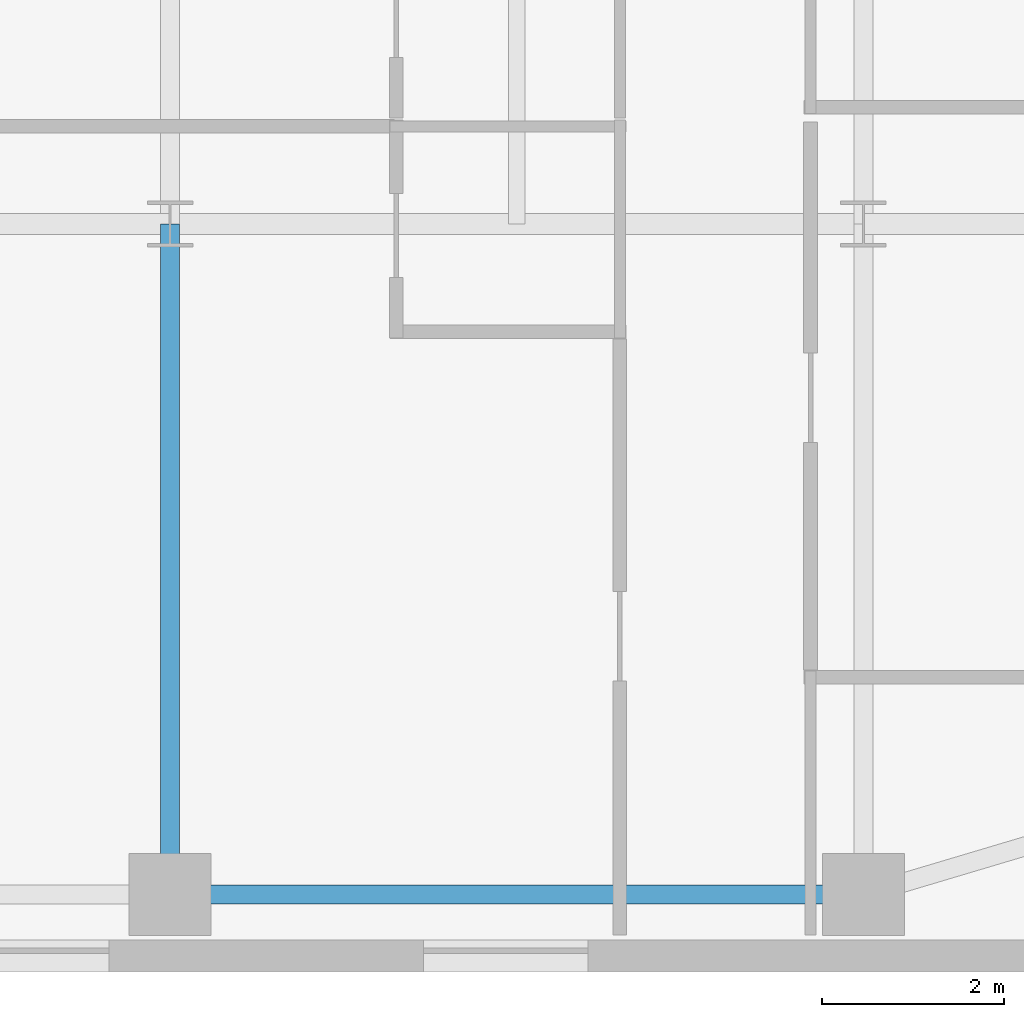
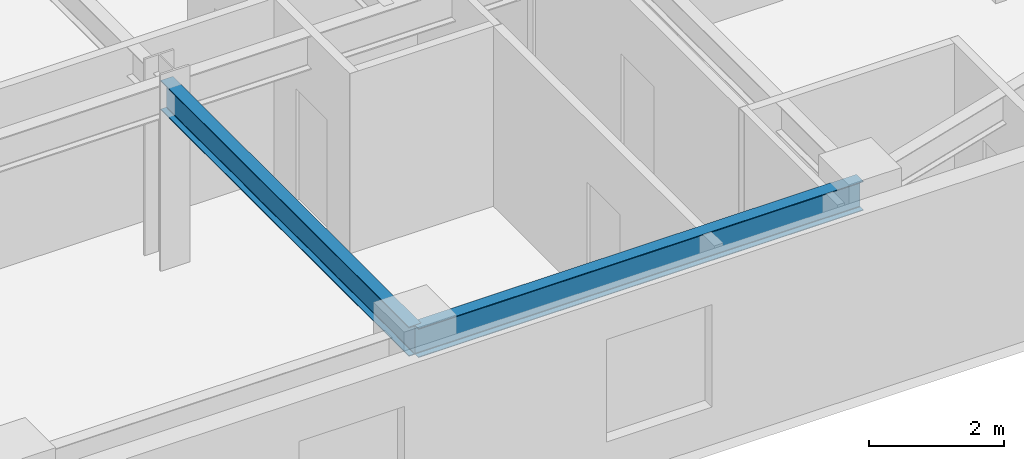
# One storey, part 6 of 16: 2 beams.
"""IFC4 building model written with IfcOpenShell, lengths in metres."""

from ifc_helpers import new_model, si_unit, direction, frame, origin, origin_2d, place, context, subcontext, project, spatial, i_section, extrude, source, transform, mapped, material, material_profile, profile_set, type_object, type_shapes, element, save


model = new_model("IFC4")

# Units and contexts
model_context = context("Model", 3, precision=1e-05, world=origin(), true_north=direction((0.0, 1.0)))
body_context = subcontext(model_context, "Body", "Model", "MODEL_VIEW")
ifc_project = project(units=[si_unit("LENGTHUNIT", "METRE"), si_unit("AREAUNIT", "SQUARE_METRE"), si_unit("VOLUMEUNIT", "CUBIC_METRE"), si_unit("PLANEANGLEUNIT", "RADIAN"), si_unit("MASSUNIT", "GRAM", prefix="KILO")], contexts=[model_context])

# Site, building, storey
site_placement = place(None, origin())
site = spatial("IfcSite", under=ifc_project, at=site_placement, CompositionType="ELEMENT")
building_placement = place(site_placement, origin())
building = spatial("IfcBuilding", under=site, at=building_placement, Name="Tolvann Quenvar Hotel", CompositionType="ELEMENT")
storey_placement = place(building_placement, frame((0.0, 0.0, 92.35009765625)))
storey = spatial("IfcBuildingStorey", under=building, at=storey_placement, Name="L23", CompositionType="ELEMENT", Elevation=92.35009765625)

# Beams
ifc_material = material(Name="Steel Grade 350", Category="steel")
ifc_material_profile_1 = material_profile(ifc_material, i_section(OverallWidth=0.208984375, OverallDepth=0.528076171875, WebThickness=0.009521484375, FlangeThickness=0.01318359375, FilletRadius=0.013916015625, at=origin_2d()), Name="530UB82")
ifc_profile_set_1 = profile_set([ifc_material_profile_1], Name="Steel Grade 350")
beam_type_1 = type_object("IfcBeamType", Name="BM_SPAND_530UB82", PredefinedType="SPANDREL", material=ifc_profile_set_1)
shared_shape_1 = source(origin(), body_context, "Body", "SweptSolid", [
    extrude(i_section(OverallWidth=0.208984375, OverallDepth=0.528076171875, WebThickness=0.009521484375, FlangeThickness=0.01318359375, FilletRadius=0.013916015625, at=origin_2d()), origin(), (0.0, 0.0, 1.0), 7.599853515625),
])
type_shapes(beam_type_1, [shared_shape_1])
beam_1_placement = place(storey_placement, frame((41.800048828125, 0.85009765625, 2.98583984375), z_axis=(1.0, 0.0, 0.0), x_axis=(0.0, 1.0, 0.0)))
element("IfcBeam", 1, at=beam_1_placement, inside=storey, type_object=beam_type_1, Name="BM-L23-EW-2-H2-I2", PredefinedType="SPANDREL", context=body_context, shape_type="MappedRepresentation", body=[
    mapped(shared_shape_1, transform((0.0, 0.0, 0.0), x_axis=(1.0, 0.0, 0.0), y_axis=(0.0, 1.0, 0.0), z_axis=(0.0, 0.0, 1.0), scale=1.0)),
])
ifc_material_profile_2 = material_profile(ifc_material, i_section(OverallWidth=0.208984375, OverallDepth=0.532958984375, WebThickness=0.01025390625, FlangeThickness=0.015625, FilletRadius=0.013916015625, at=origin_2d()), Name="530UB92")
ifc_profile_set_2 = profile_set([ifc_material_profile_2], Name="Steel Grade 350")
beam_type_2 = type_object("IfcBeamType", Name="BM_GIRD_530UB92", PredefinedType="BEAM", material=ifc_profile_set_2)
shared_shape_2 = source(origin(), body_context, "Body", "SweptSolid", [
    extrude(i_section(OverallWidth=0.208984375, OverallDepth=0.532958984375, WebThickness=0.01025390625, FlangeThickness=0.015625, FilletRadius=0.013916015625, at=origin_2d()), origin(), (0.0, 0.0, 1.0), 7.349853515625),
])
type_shapes(beam_type_2, [shared_shape_2])
beam_2_placement = place(storey_placement, frame((41.800048828125, 0.85009765625, 2.9833984375), z_axis=(0.0, 1.0, 0.0), x_axis=(-1.0, 0.0, 0.0)))
element("IfcBeam", 2, at=beam_2_placement, inside=storey, type_object=beam_type_2, Name="BM-L23-NS-H2-H3", PredefinedType="BEAM", context=body_context, shape_type="MappedRepresentation", body=[
    mapped(shared_shape_2, transform((0.0, 0.0, 0.0), x_axis=(1.0, 0.0, 0.0), y_axis=(0.0, 1.0, 0.0), z_axis=(0.0, 0.0, 1.0), scale=1.0)),
])

save(model, "model.ifc")
